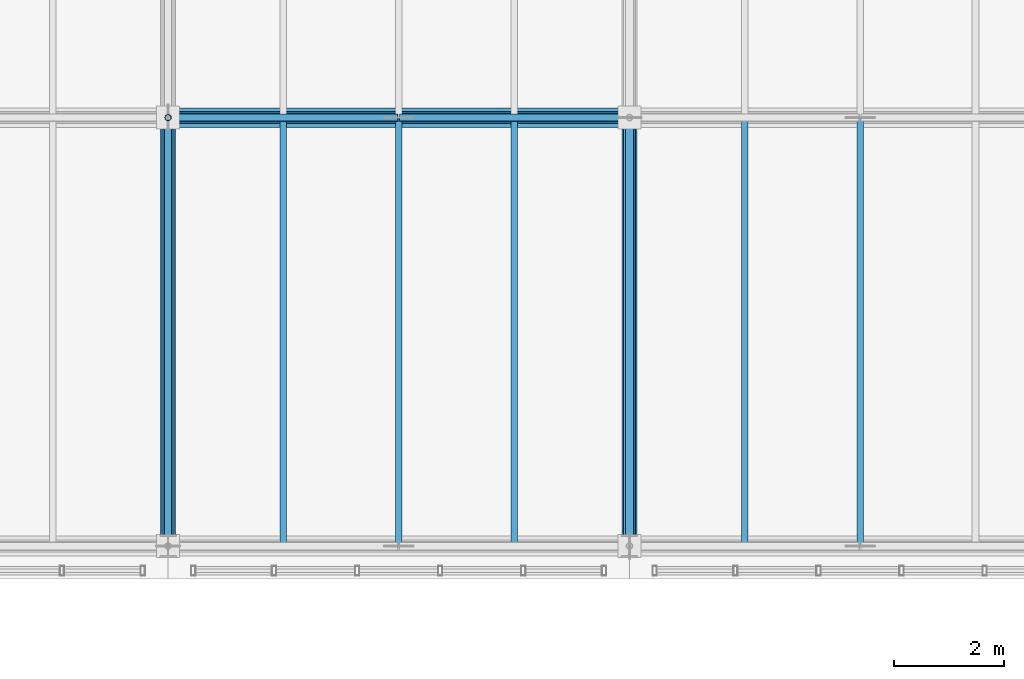
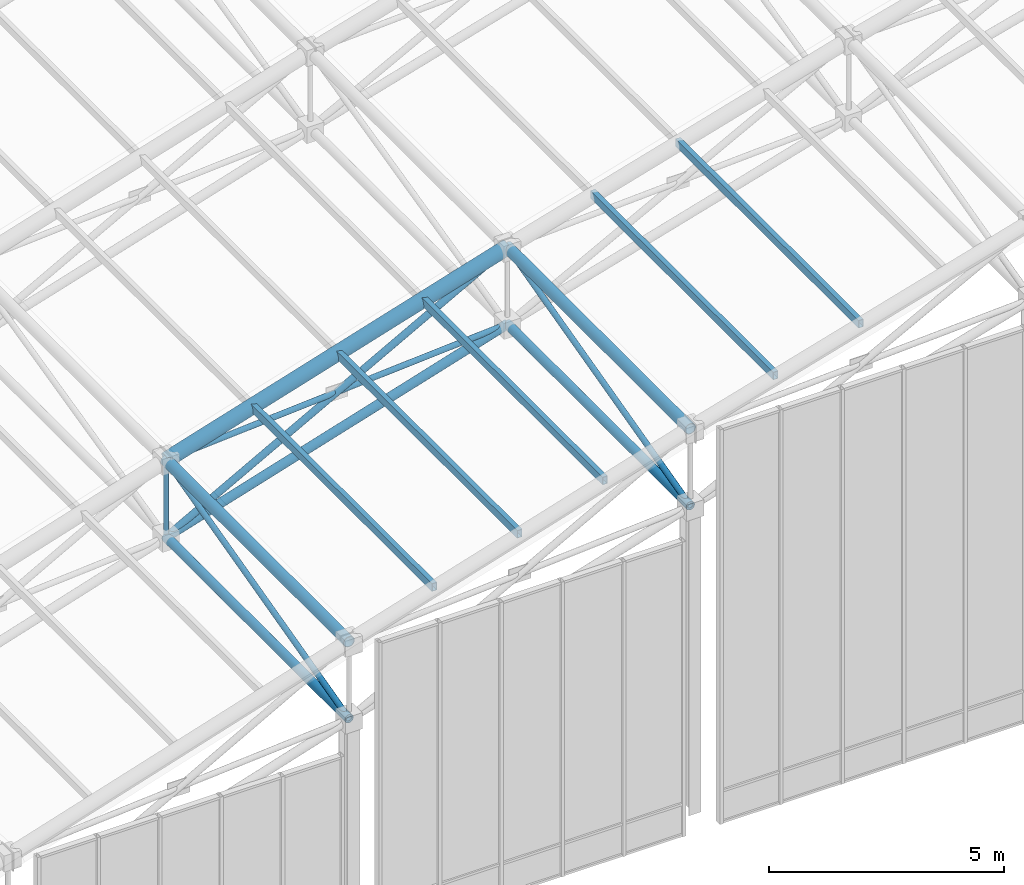
# One storey, part 33 of 144: 17 members.
"""IFC4 building model written with IfcOpenShell, lengths in metres."""

import ifcopenshell
import ifcopenshell.guid

model = None  # the IFC model being written
_history = None  # IfcOwnerHistory: only IFC2X3 demands one
_inside = {}  # id of a spatial element -> (the spatial element, [elements in it])
_under = {}  # id of a project, library or spatial element -> (it, [spatial elements below it])
_declared = {}  # id of a project -> (the project, [libraries it declares])
_typed = {}  # id of a type object -> (the type object, [elements of that type])
_made_of = {}  # id of a material, layer set ... -> (it, [elements and type objects made of it])


def new_model(schema):
    """Start an empty IFC model of exactly this schema.

    Asked for "IFC4X3", IfcOpenShell would pick the latest addendum, in which some entities
    have other attributes; the version numbers below select the first issue.
    IFC2X3 requires an IfcOwnerHistory on every rooted entity: one is made here for all.
    """
    global model, _history
    if schema == "IFC4X3":
        model = ifcopenshell.file(schema_version=(4, 3, 0, 0))
    else:
        model = ifcopenshell.file(schema=schema)
    _inside.clear()
    _under.clear()
    _declared.clear()
    _typed.clear()
    _made_of.clear()
    _history = None
    if model.schema == "IFC2X3":
        org = make("IfcOrganization", Name="unknown")
        user = make(
            "IfcPersonAndOrganization",
            ThePerson=make("IfcPerson", FamilyName="unknown"),
            TheOrganization=org,
        )
        app = make(
            "IfcApplication",
            ApplicationDeveloper=org,
            Version="unknown",
            ApplicationFullName="unknown",
            ApplicationIdentifier="unknown",
        )
        _history = make(
            "IfcOwnerHistory",
            OwningUser=user,
            OwningApplication=app,
            ChangeAction="ADDED",
            CreationDate=0,
        )
    return model


def make(cls, **values):
    """One entity of the class cls with the attributes given. An attribute that is None is left unset."""
    return model.create_entity(
        cls, **{name: value for name, value in values.items() if value is not None}
    )


def rooted(cls, **values):
    """An entity with a GlobalId (a new one), such as an element, a storey or a relation."""
    return make(cls, GlobalId=ifcopenshell.guid.new(), OwnerHistory=_history, **values)


def si_unit(unit_type, name, prefix=None):
    """IfcSIUnit, for example si_unit("LENGTHUNIT", "METRE", prefix="MILLI")."""
    return make("IfcSIUnit", UnitType=unit_type, Prefix=prefix, Name=name)


def assignment(units):
    """IfcUnitAssignment: the units of a project."""
    return None if units is None else make("IfcUnitAssignment", Units=units)


def point(xyz):
    """IfcCartesianPoint."""
    return None if xyz is None else make("IfcCartesianPoint", Coordinates=xyz)


def direction(xyz):
    """IfcDirection."""
    return None if xyz is None else make("IfcDirection", DirectionRatios=xyz)


def frame(location, z_axis=None, x_axis=None):
    """IfcAxis2Placement3D, a coordinate frame: its origin and axes. An axis left out is left unset."""
    return make(
        "IfcAxis2Placement3D",
        Location=point(location),
        Axis=direction(z_axis),
        RefDirection=direction(x_axis),
    )


def frame_2d(location, x_axis=None):
    """IfcAxis2Placement2D, a coordinate frame in the plane: its origin and x axis."""
    return make(
        "IfcAxis2Placement2D", Location=point(location), RefDirection=direction(x_axis)
    )


def origin():
    """The frame at (0, 0, 0) with its axes left unset."""
    return frame((0.0, 0.0, 0.0))


def origin_2d():
    """The frame at (0, 0) in the plane with its x axis left unset."""
    return frame_2d((0.0, 0.0))


def place(relative_to, where):
    """IfcLocalPlacement: puts the frame where relative to a parent placement (None: the world)."""
    return make(
        "IfcLocalPlacement", PlacementRelTo=relative_to, RelativePlacement=where
    )


def context(
    kind, dimensions, precision=None, world=None, true_north=None, identifier=None
):
    """IfcGeometricRepresentationContext, for example the 3D "Model" context."""
    return make(
        "IfcGeometricRepresentationContext",
        ContextIdentifier=identifier,
        ContextType=kind,
        CoordinateSpaceDimension=dimensions,
        Precision=precision,
        WorldCoordinateSystem=world,
        TrueNorth=true_north,
    )


def subcontext(parent, identifier, kind, view, scale=None):
    """IfcGeometricRepresentationSubContext, for example "Body" below "Model"."""
    return make(
        "IfcGeometricRepresentationSubContext",
        ContextIdentifier=identifier,
        ContextType=kind,
        ParentContext=parent,
        TargetScale=scale,
        TargetView=view,
    )


def project(units=None, contexts=None):
    """IfcProject with its units and contexts."""
    return rooted(
        "IfcProject",
        Name="project",
        RepresentationContexts=contexts,
        UnitsInContext=assignment(units),
    )


def spatial(cls, under=None, at=None, **own):
    """A site, building, storey or space (cls), placed at a placement, below another one or the project."""
    s = rooted(cls, ObjectPlacement=at, **own)
    if under is not None:
        _under.setdefault(under.id(), (under, []))[1].append(s)
    return s


def profile(cls, at=None, kind="AREA", **sizes):
    """A parametric profile (cls). Its sizes go by their IFC names, for example OverallWidth=200.0."""
    return make(cls, ProfileType=kind, Position=at, **sizes)


def hollow_rectangle(**sizes):
    """IfcRectangleHollowProfileDef."""
    return profile("IfcRectangleHollowProfileDef", **sizes)


def hollow_circle(**sizes):
    """IfcCircleHollowProfileDef."""
    return profile("IfcCircleHollowProfileDef", **sizes)


def extrude(swept, where, along, depth):
    """IfcExtrudedAreaSolid: the profile swept, set in the frame where, extruded along a direction by depth."""
    return make(
        "IfcExtrudedAreaSolid",
        SweptArea=swept,
        Position=where,
        ExtrudedDirection=direction(along),
        Depth=depth,
    )


def shape(context_of_items, identifier, shape_type, items):
    """IfcShapeRepresentation: the items that make up one representation, for example the "Body"."""
    return make(
        "IfcShapeRepresentation",
        ContextOfItems=context_of_items,
        RepresentationIdentifier=identifier,
        RepresentationType=shape_type,
        Items=items,
    )


def material(Name=None, Category=None):
    """IfcMaterial."""
    return make("IfcMaterial", Name=Name, Category=Category)


def material_profile(
    of_material, cross_section, Name=None, Category=None, Priority=None
):
    """IfcMaterialProfile: a cross section and its material."""
    return make(
        "IfcMaterialProfile",
        Name=Name,
        Material=of_material,
        Profile=cross_section,
        Priority=Priority,
        Category=Category,
    )


def profile_set(profiles, Name=None, composite=None):
    """IfcMaterialProfileSet."""
    return make(
        "IfcMaterialProfileSet",
        Name=Name,
        MaterialProfiles=profiles,
        CompositeProfile=composite,
    )


def made_of(thing, what):
    """Note that an element or type object is made of a material, layer set ...; save() writes the relation."""
    if what is not None:
        _made_of.setdefault(what.id(), (what, []))[1].append(thing)
    return thing


def type_object(cls, material=None, **own):
    """A type object (cls), such as IfcWallType, which elements share."""
    return made_of(rooted(cls, **own), material)


def element(
    cls,
    number,
    at=None,
    inside=None,
    cuts=None,
    type_object=None,
    material=None,
    context=None,
    identifier="Body",
    shape_type=None,
    held_by="IfcProductDefinitionShape",
    body=None,
    shapes=None,
    **own,
):
    """One element of the class cls, such as IfcWall. Its Tag is "e" and its number.

    at: its placement. inside: the storey or other place that contains it. cuts: it is an
    opening in that element (IfcRelVoidsElement). A single representation is given by context,
    identifier, shape_type and body (its items); several are given by shapes. held_by: the class
    of the entity that holds the representations. save() writes the other relations.
    """
    e = rooted(cls, Tag="e%d" % number, ObjectPlacement=at, **own)
    if body is not None:
        shapes = [shape(context, identifier, shape_type, body)]
    if shapes is not None:
        e.Representation = make(held_by, Representations=shapes)
    if inside is not None:
        _inside.setdefault(inside.id(), (inside, []))[1].append(e)
    if cuts is not None:
        rooted(
            "IfcRelVoidsElement", RelatingBuildingElement=cuts, RelatedOpeningElement=e
        )
    if type_object is not None:
        _typed.setdefault(type_object.id(), (type_object, []))[1].append(e)
    return made_of(e, material)


def aggregate(whole, parts):
    """IfcRelAggregates: a whole, such as a stair, and the parts it consists of."""
    return rooted("IfcRelAggregates", RelatingObject=whole, RelatedObjects=parts)


def save(model, path):
    """Write the relations noted so far, then the file.

    IfcRelAggregates (storeys below a building ...), IfcRelContainedInSpatialStructure (elements
    in a storey), IfcRelDefinesByType, IfcRelAssociatesMaterial and IfcRelDeclares: one each for
    every whole, place, type object, material and project.
    """
    for whole, parts in _under.values():
        aggregate(whole, parts)
    for where, things in _inside.values():
        rooted(
            "IfcRelContainedInSpatialStructure",
            RelatedElements=things,
            RelatingStructure=where,
        )
    for kind, things in _typed.values():
        rooted("IfcRelDefinesByType", RelatedObjects=things, RelatingType=kind)
    for what, things in _made_of.values():
        rooted("IfcRelAssociatesMaterial", RelatedObjects=things, RelatingMaterial=what)
    for by, libraries in _declared.values():
        rooted("IfcRelDeclares", RelatingContext=by, RelatedDefinitions=libraries)
    model.write(path)


model = new_model("IFC4")

# Units and contexts
model_context = context("Model", 3, precision=1e-05, world=origin(), true_north=direction((0.0, 1.0)))
body_context = subcontext(model_context, "Body", "Model", "MODEL_VIEW")
ifc_project = project(units=[si_unit("LENGTHUNIT", "METRE"), si_unit("AREAUNIT", "SQUARE_METRE"), si_unit("VOLUMEUNIT", "CUBIC_METRE"), si_unit("PLANEANGLEUNIT", "RADIAN"), si_unit("MASSUNIT", "GRAM", prefix="KILO")], contexts=[model_context])

# Site, building, storey
site_placement = place(None, origin())
site = spatial("IfcSite", under=ifc_project, at=site_placement, CompositionType="ELEMENT")
building_placement = place(site_placement, origin())
building = spatial("IfcBuilding", under=site, at=building_placement, Name="Zayran Congress Hotel", CompositionType="ELEMENT")
storey_placement = place(building_placement, frame((0.0, 0.0, 19.199951171875)))
storey = spatial("IfcBuildingStorey", under=building, at=storey_placement, Name="L04", CompositionType="ELEMENT", Elevation=19.199951171875)

# Members
ifc_material = material(Name="Steel S355", Category="steel")
ifc_material_profile_1 = material_profile(ifc_material, hollow_circle(Radius=0.177734375, WallThickness=0.01611328125, at=origin_2d()), Name="CHS 355.6x16")
ifc_profile_set_1 = profile_set([ifc_material_profile_1], Name="Steel S355")
member_type_1 = type_object("IfcMemberType", Name="TP-SF-TC1", PredefinedType="CHORD", material=ifc_profile_set_1)
member_1_placement = place(storey_placement, frame((25.199951171875, 76.0, 7.302001953125), z_axis=(0.955284210171, 0.0, 0.29568915739), x_axis=(0.0, 1.0, 0.0)))
element("IfcMember", 1, at=member_1_placement, inside=storey, type_object=member_type_1, Name="Space Frame Top Chord X 121", PredefinedType="CHORD", context=body_context, shape_type="SweptSolid", body=[
    extrude(hollow_circle(Radius=0.177734375, WallThickness=0.01611328125, at=origin_2d()), origin(), (0.0, 0.0, 1.0), 8.79345703125),
])
ifc_material_profile_2 = material_profile(ifc_material, hollow_circle(Radius=0.136474609375, WallThickness=0.012451171875, at=origin_2d()), Name="CHS 273x12.5")
ifc_profile_set_2 = profile_set([ifc_material_profile_2], Name="Steel S355")
member_type_2 = type_object("IfcMemberType", Name="TP-SF-TC2", PredefinedType="CHORD", material=ifc_profile_set_2)
for number, where, z_axis, x_axis, name in (
    (2, (25.199951171875, 68.199951171875, 7.302001953125), (0.0, 1.0, 0.0), (-1.0, 0.0, 0.0), "Space Frame Top Chord Y 117"),
    (3, (33.60009765625, 68.199951171875, 9.902099609375), (0.0, 1.0, 0.0), (-1.0, 0.0, 0.0), "Space Frame Top Chord Y 170"),
):
    element("IfcMember", number, at=place(storey_placement, frame(where, z_axis=z_axis, x_axis=x_axis)), inside=storey, type_object=member_type_2, Name=name, PredefinedType="CHORD", context=body_context, shape_type="SweptSolid", body=[
        extrude(hollow_circle(Radius=0.136474609375, WallThickness=0.012451171875, at=origin_2d()), origin(), (0.0, 0.0, 1.0), 7.800048828125),
    ])
ifc_material_profile_3 = material_profile(ifc_material, hollow_circle(Radius=0.109619140625, WallThickness=0.010009765625, at=origin_2d()), Name="CHS 219.1x10")
ifc_profile_set_3 = profile_set([ifc_material_profile_3], Name="Steel S355")
member_type_3 = type_object("IfcMemberType", Name="TP-SF-BC1", PredefinedType="CHORD", material=ifc_profile_set_3)
member_2_placement = place(storey_placement, frame((25.199951171875, 68.199951171875, 5.300048828125), z_axis=(0.0, 1.0, 0.0), x_axis=(-1.0, 0.0, 0.0)))
element("IfcMember", 4, at=member_2_placement, inside=storey, type_object=member_type_3, Name="Space Frame Bottom Chord Y 118", PredefinedType="CHORD", context=body_context, shape_type="SweptSolid", body=[
    extrude(hollow_circle(Radius=0.109619140625, WallThickness=0.010009765625, at=origin_2d()), origin(), (0.0, 0.0, 1.0), 7.800048828125),
])
member_3_placement = place(storey_placement, frame((25.199951171875, 76.0, 5.300048828125), z_axis=(0.955284210171, 0.0, 0.29568915739), x_axis=(0.0, 1.0, 0.0)))
element("IfcMember", 5, at=member_3_placement, inside=storey, type_object=member_type_3, Name="Space Frame Bottom Chord X 122", PredefinedType="CHORD", context=body_context, shape_type="SweptSolid", body=[
    extrude(hollow_circle(Radius=0.109619140625, WallThickness=0.010009765625, at=origin_2d()), origin(), (0.0, 0.0, 1.0), 8.79345703125),
])
member_4_placement = place(storey_placement, frame((33.60009765625, 68.199951171875, 7.900146484375), z_axis=(0.0, 1.0, 0.0), x_axis=(-1.0, 0.0, 0.0)))
element("IfcMember", 6, at=member_4_placement, inside=storey, type_object=member_type_3, Name="Space Frame Bottom Chord Y 171", PredefinedType="CHORD", context=body_context, shape_type="SweptSolid", body=[
    extrude(hollow_circle(Radius=0.109619140625, WallThickness=0.010009765625, at=origin_2d()), origin(), (0.0, 0.0, 1.0), 7.800048828125),
])
ifc_material_profile_4 = material_profile(ifc_material, hollow_circle(Radius=0.084228515625, WallThickness=0.008056640625, at=origin_2d()), Name="CHS 168.3x8")
ifc_profile_set_4 = profile_set([ifc_material_profile_4], Name="Steel S355")
member_type_4 = type_object("IfcMemberType", Name="TP-SF-DG1", PredefinedType="BRACE", material=ifc_profile_set_4)
member_5_placement = place(storey_placement, frame((25.199951171875, 76.0, 5.300048828125), z_axis=(0.877009581124, 0.0, 0.480472886453), x_axis=(0.0, 1.0, 0.0)))
element("IfcMember", 7, at=member_5_placement, inside=storey, type_object=member_type_4, Name="Space Frame Web Diagonal X 123", PredefinedType="BRACE", context=body_context, shape_type="SweptSolid", body=[
    extrude(hollow_circle(Radius=0.084228515625, WallThickness=0.008056640625, at=origin_2d()), origin(), (0.0, 0.0, 1.0), 9.578125),
])
ifc_material_profile_5 = material_profile(ifc_material, hollow_circle(Radius=0.06982421875, WallThickness=0.00634765625, at=origin_2d()), Name="CHS 139.7x6.3")
ifc_profile_set_5 = profile_set([ifc_material_profile_5], Name="Steel S355")
member_type_5 = type_object("IfcMemberType", Name="TP-SF-DG2", PredefinedType="BRACE", material=ifc_profile_set_5)
member_6_placement = place(storey_placement, frame((25.199951171875, 68.199951171875, 5.300048828125), z_axis=(0.0, 0.968605860949, 0.248601460446), x_axis=(-1.0, 0.0, 0.0)))
element("IfcMember", 8, at=member_6_placement, inside=storey, type_object=member_type_5, Name="Space Frame Web Diagonal Y 119", PredefinedType="BRACE", context=body_context, shape_type="SweptSolid", body=[
    extrude(hollow_circle(Radius=0.06982421875, WallThickness=0.00634765625, at=origin_2d()), origin(), (0.0, 0.0, 1.0), 8.052978515625),
])
for number, where, z_axis, x_axis, name in (
    (9, (25.199951171875, 76.0, 7.302001953125), (0.99747698019, 0.0, 0.07099066129), (0.0, 1.0, 0.0), "Space Frame Counter Diagonal X Upper 124"),
    (10, (29.4150390625, 76.0, 7.60205078125), (0.997472858069, 0.0, 0.071048556744), (0.0, 1.0, 0.0), "Space Frame Counter Diagonal X Lower 22"),
):
    element("IfcMember", number, at=place(storey_placement, frame(where, z_axis=z_axis, x_axis=x_axis)), inside=storey, type_object=member_type_5, Name=name, PredefinedType="BRACE", context=body_context, shape_type="SweptSolid", body=[
        extrude(hollow_circle(Radius=0.06982421875, WallThickness=0.00634765625, at=origin_2d()), origin(), (0.0, 0.0, 1.0), 4.195556640625),
    ])
member_7_placement = place(storey_placement, frame((33.60009765625, 68.199951171875, 7.900146484375), z_axis=(0.0, 0.968605860949, 0.248601460446), x_axis=(-1.0, 0.0, 0.0)))
element("IfcMember", 11, at=member_7_placement, inside=storey, type_object=member_type_5, Name="Space Frame Web Diagonal Y 172", PredefinedType="BRACE", context=body_context, shape_type="SweptSolid", body=[
    extrude(hollow_circle(Radius=0.06982421875, WallThickness=0.00634765625, at=origin_2d()), origin(), (0.0, 0.0, 1.0), 8.052978515625),
])
ifc_material_profile_6 = material_profile(ifc_material, hollow_circle(Radius=0.05712890625, WallThickness=0.00634765625, at=origin_2d()), Name="CHS 114.3x6.3")
ifc_profile_set_6 = profile_set([ifc_material_profile_6], Name="Steel S355")
member_type_6 = type_object("IfcMemberType", Name="TP-SF-DG3", PredefinedType="BRACE", material=ifc_profile_set_6)
member_8_placement = place(storey_placement, frame((25.199951171875, 76.0, 5.300048828125), z_axis=(0.0, 0.0, 1.0), x_axis=(0.0, 1.0, 0.0)))
element("IfcMember", 12, at=member_8_placement, inside=storey, type_object=member_type_6, Name="Space Frame Web Strut 128", PredefinedType="BRACE", context=body_context, shape_type="SweptSolid", body=[
    extrude(hollow_circle(Radius=0.05712890625, WallThickness=0.00634765625, at=origin_2d()), origin(), (0.0, 0.0, 1.0), 2.001953125),
])
ifc_material_profile_7 = material_profile(ifc_material, hollow_rectangle(XDim=0.1201171875, YDim=0.199951171875, WallThickness=0.008056640625, at=origin_2d()), Name="RHS 200x120x8")
ifc_profile_set_7 = profile_set([ifc_material_profile_7], Name="Steel S355")
member_type_7 = type_object("IfcMemberType", Name="TP-PR-01", PredefinedType="PURLIN", material=ifc_profile_set_7)
for number, where, z_axis, x_axis, name in (
    (13, (27.300048828125, 68.199951171875, 7.994140625), (0.0, 1.0, 0.0), (-1.0, 0.0, 0.0), "MEM-PR-V1-0037"),
    (14, (29.39990234375, 68.199951171875, 8.64404296875), (0.0, 1.0, 0.0), (-1.0, 0.0, 0.0), "MEM-PR-V1-0043"),
    (15, (31.5, 68.199951171875, 9.2939453125), (0.0, 1.0, 0.0), (-1.0, 0.0, 0.0), "MEM-PR-V1-0049"),
    (16, (35.699951171875, 68.199951171875, 10.556640625), (0.0, 1.0, 0.0), (-1.0, 0.0, 0.0), "MEM-PR-V1-0055"),
    (17, (37.800048828125, 68.199951171875, 11.1689453125), (0.0, 1.0, 0.0), (-1.0, 0.0, 0.0), "MEM-PR-V1-0061"),
):
    element("IfcMember", number, at=place(storey_placement, frame(where, z_axis=z_axis, x_axis=x_axis)), inside=storey, type_object=member_type_7, Name=name, PredefinedType="PURLIN", context=body_context, shape_type="SweptSolid", body=[
        extrude(hollow_rectangle(XDim=0.1201171875, YDim=0.199951171875, WallThickness=0.008056640625, at=origin_2d()), origin(), (0.0, 0.0, 1.0), 7.800048828125),
    ])

save(model, "model.ifc")
